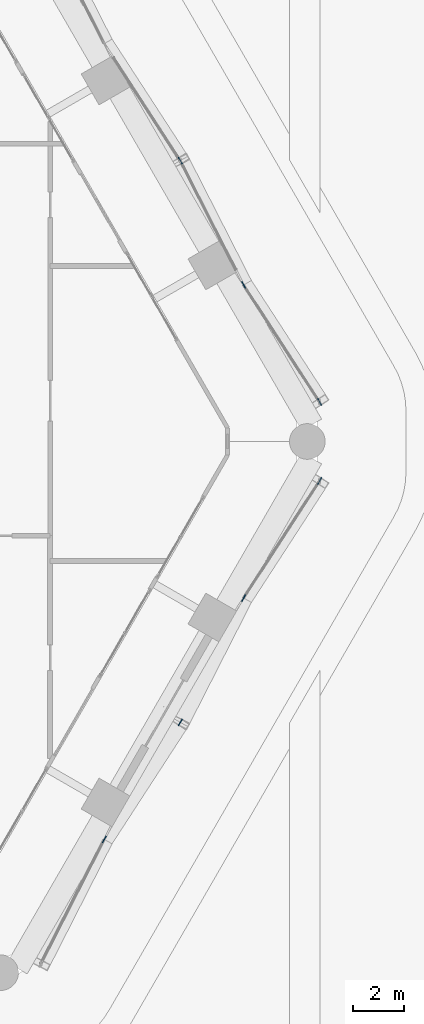
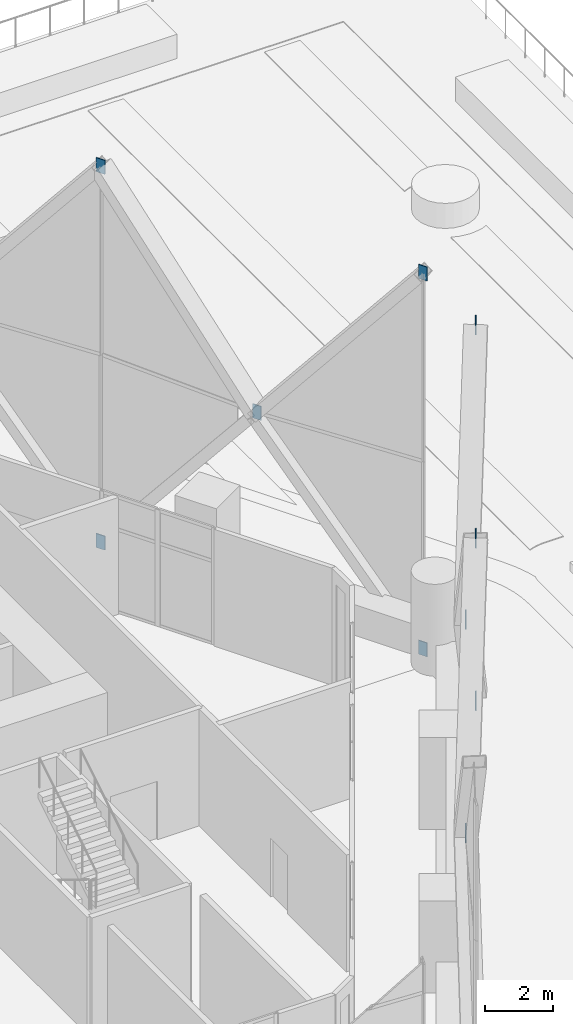
# One storey, part 60 of 71: 10 discrete accessories.
"""IFC4 building model written with IfcOpenShell, lengths in metres."""

from ifc_helpers import new_model, si_unit, direction, frame, origin, origin_2d, place, context, subcontext, project, spatial, rectangle, extrude, material, layer, layer_set, type_object, element, save


model = new_model("IFC4")

# Units and contexts
model_context = context("Model", 3, precision=1e-05, world=origin(), true_north=direction((0.0, 1.0)))
body_context = subcontext(model_context, "Body", "Model", "MODEL_VIEW")
ifc_project = project(units=[si_unit("LENGTHUNIT", "METRE"), si_unit("AREAUNIT", "SQUARE_METRE"), si_unit("VOLUMEUNIT", "CUBIC_METRE"), si_unit("PLANEANGLEUNIT", "RADIAN"), si_unit("MASSUNIT", "GRAM", prefix="KILO")], contexts=[model_context])

# Site, building, storey
site_placement = place(None, origin())
site = spatial("IfcSite", under=ifc_project, at=site_placement, CompositionType="ELEMENT")
building_placement = place(site_placement, origin())
building = spatial("IfcBuilding", under=site, at=building_placement, Name="Ostrander Bayou Hotel Tower", CompositionType="ELEMENT")
storey_placement = place(building_placement, frame((0.0, 0.0, 10.0)))
storey = spatial("IfcBuildingStorey", under=building, at=storey_placement, Name="L02", CompositionType="ELEMENT", Elevation=10.0)

# Discrete accessories
ifc_material = material(Name="Steel ASTM A572 Gr 50", Category="steel")
ifc_layer = layer(ifc_material, 0.030029296875)
ifc_layer_set = layer_set([ifc_layer], Name="GP1 gusset plate 30 mm")
discrete_accessory_type = type_object("IfcDiscreteAccessoryType", Name="GP1 gusset plate 30 mm", PredefinedType="BRACKET", material=ifc_layer_set)
for number, where, z_axis, x_axis, name in (
    (1, (16.126953125, -15.63330078125, 5.89990234375), (0.0, 0.0, 1.0), (0.5, 0.866025403784, 0.0), "GP1 gusset plate lat 26"),
    (2, (19.11328125, -11.034912109375, 12.64990234375), (0.0, 0.0, 1.0), (0.5, 0.866025403784, 0.0), "GP1 gusset plate lat 29"),
    (3, (21.602294921875, -6.14990234375, 5.89990234375), (0.0, 0.0, 1.0), (0.5, 0.866025403784, 0.0), "GP1 gusset plate lat 30"),
    (4, (24.58837890625, -1.551513671875, -0.85009765625), (0.0, 0.0, 1.0), (0.5, 0.866025403784, 0.0), "GP1 gusset plate lat 31"),
    (5, (24.58837890625, -1.551513671875, 12.64990234375), (0.0, 0.0, 1.0), (0.5, 0.866025403784, 0.0), "GP1 gusset plate lat 32"),
    (6, (21.602294921875, 6.14990234375, 5.89990234375), (0.0, 0.0, 1.0), (-0.5, 0.866025403784, 0.0), "GP1 gusset plate lat 33"),
    (7, (24.58837890625, 1.551513671875, -0.85009765625), (0.0, 0.0, 1.0), (-0.5, 0.866025403784, 0.0), "GP1 gusset plate lat 34"),
    (8, (24.58837890625, 1.551513671875, 12.64990234375), (0.0, 0.0, 1.0), (-0.5, 0.866025403784, 0.0), "GP1 gusset plate lat 35"),
    (9, (19.11328125, 11.034912109375, -0.85009765625), (0.0, 0.0, 1.0), (-0.5, 0.866025403784, 0.0), "GP1 gusset plate lat 36"),
    (10, (19.11328125, 11.034912109375, 12.64990234375), (0.0, 0.0, 1.0), (-0.5, 0.866025403784, 0.0), "GP1 gusset plate lat 37"),
):
    element("IfcDiscreteAccessory", number, at=place(storey_placement, frame(where, z_axis=z_axis, x_axis=x_axis)), inside=storey, type_object=discrete_accessory_type, Name=name, PredefinedType="BRACKET", context=body_context, shape_type="SweptSolid", body=[
        extrude(rectangle(XDim=0.300048828125, YDim=0.030029296875, at=origin_2d()), origin(), (0.0, 0.0, 1.0), 0.5),
    ])

save(model, "model.ifc")
